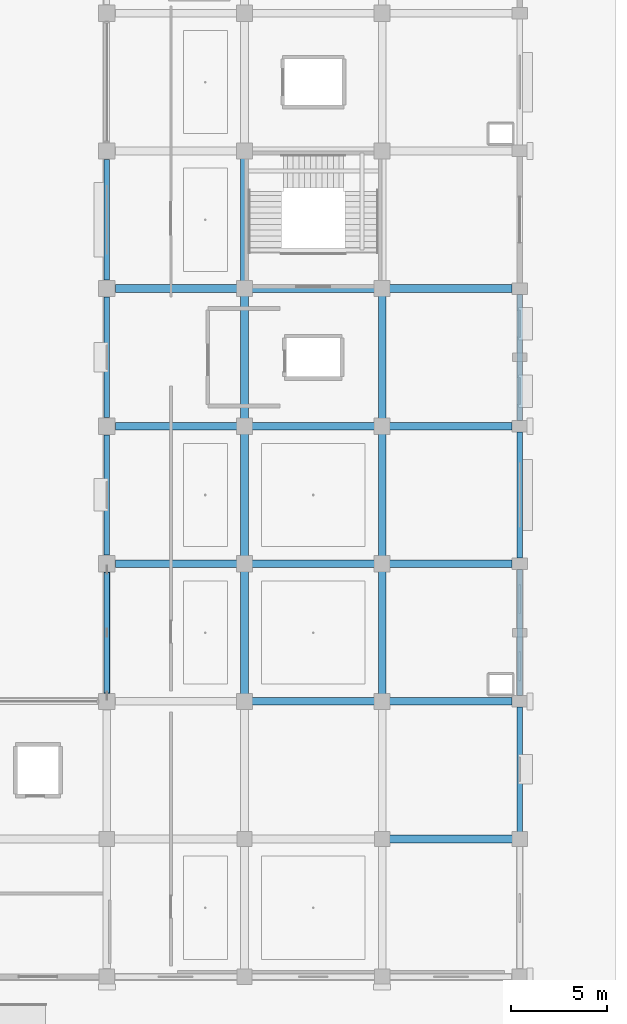
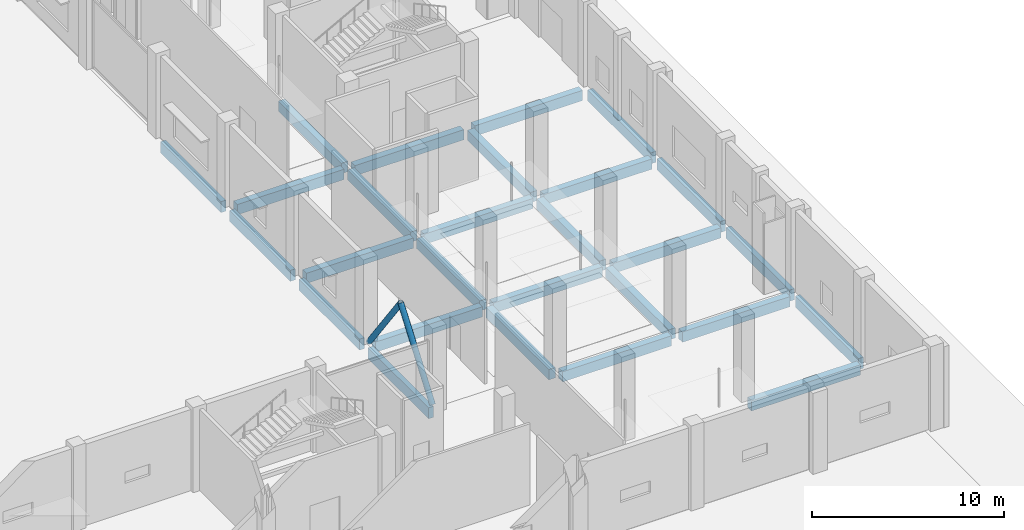
# One storey, part 40 of 90: 27 beams, 2 members.
"""IFC4 building model written with IfcOpenShell, lengths in metres."""

from ifc_helpers import new_model, si_unit, direction, frame, origin, origin_2d, place, context, subcontext, project, spatial, rectangle, hollow_circle, extrude, material, material_profile, profile_set, type_object, element, save


model = new_model("IFC4")

# Units and contexts
model_context = context("Model", 3, precision=1e-05, world=origin(), true_north=direction((0.0, 1.0)))
body_context = subcontext(model_context, "Body", "Model", "MODEL_VIEW")
ifc_project = project(units=[si_unit("LENGTHUNIT", "METRE"), si_unit("AREAUNIT", "SQUARE_METRE"), si_unit("VOLUMEUNIT", "CUBIC_METRE"), si_unit("PLANEANGLEUNIT", "RADIAN"), si_unit("MASSUNIT", "GRAM", prefix="KILO")], contexts=[model_context])

# Site, building, storey
site_placement = place(None, origin())
site = spatial("IfcSite", under=ifc_project, at=site_placement, CompositionType="ELEMENT")
building_placement = place(site_placement, origin())
building = spatial("IfcBuilding", under=site, at=building_placement, Name="Kangsadwip Square Police Headquarters", CompositionType="ELEMENT")
storey_placement = place(building_placement, origin())
storey = spatial("IfcBuildingStorey", under=building, at=storey_placement, Name="L00", CompositionType="ELEMENT", Elevation=0.0)

# Beams
ifc_material_1 = material(Name="Concrete M35 (35 MPa)", Category="concrete")
ifc_material_profile_1 = material_profile(ifc_material_1, rectangle(XDim=0.39990234375, YDim=0.64990234375, at=origin_2d()), Name="RC BM 650X400")
ifc_profile_set_1 = profile_set([ifc_material_profile_1], Name="Concrete M35 (35 MPa)")
beam_type_1 = type_object("IfcBeamType", Name="RcBeam650x400", PredefinedType="BEAM", material=ifc_profile_set_1)
beam_1_placement = place(storey_placement, frame((158.72509765625, 28.800048828125, -0.574951171875), z_axis=(1.0, 0.0, 0.0), x_axis=(0.0, 1.0, 0.0)))
element("IfcBeam", 1, at=beam_1_placement, inside=storey, type_object=beam_type_1, Name="Beam BM-L00-X-22-04", PredefinedType="BEAM", context=body_context, shape_type="SweptSolid", body=[
    extrude(rectangle(XDim=0.39990234375, YDim=0.64990234375, at=origin_2d()), origin(), (0.0, 0.0, 1.0), 6.5498046875),
])
beam_2_placement = place(storey_placement, frame((151.52490234375, 36.0, -0.574951171875), z_axis=(1.0, 0.0, 0.0), x_axis=(0.0, 1.0, 0.0)))
element("IfcBeam", 2, at=beam_2_placement, inside=storey, type_object=beam_type_1, Name="Beam BM-L00-X-21-05", PredefinedType="BEAM", context=body_context, shape_type="SweptSolid", body=[
    extrude(rectangle(XDim=0.39990234375, YDim=0.64990234375, at=origin_2d()), origin(), (0.0, 0.0, 1.0), 6.550048828125),
])
beam_3_placement = place(storey_placement, frame((158.72509765625, 36.0, -0.574951171875), z_axis=(1.0, 0.0, 0.0), x_axis=(0.0, 1.0, 0.0)))
element("IfcBeam", 3, at=beam_3_placement, inside=storey, type_object=beam_type_1, Name="Beam BM-L00-X-22-05", PredefinedType="BEAM", context=body_context, shape_type="SweptSolid", body=[
    extrude(rectangle(XDim=0.39990234375, YDim=0.64990234375, at=origin_2d()), origin(), (0.0, 0.0, 1.0), 6.474853515625),
])
beam_4_placement = place(storey_placement, frame((144.449951171875, 43.199951171875, -0.574951171875), z_axis=(1.0, 0.0, 0.0), x_axis=(0.0, 1.0, 0.0)))
element("IfcBeam", 4, at=beam_4_placement, inside=storey, type_object=beam_type_1, Name="Beam BM-L00-X-20-06", PredefinedType="BEAM", context=body_context, shape_type="SweptSolid", body=[
    extrude(rectangle(XDim=0.39990234375, YDim=0.64990234375, at=origin_2d()), origin(), (0.0, 0.0, 1.0), 6.425048828125),
])
beam_5_placement = place(storey_placement, frame((151.52490234375, 43.199951171875, -0.574951171875), z_axis=(1.0, 0.0, 0.0), x_axis=(0.0, 1.0, 0.0)))
element("IfcBeam", 5, at=beam_5_placement, inside=storey, type_object=beam_type_1, Name="Beam BM-L00-X-21-06", PredefinedType="BEAM", context=body_context, shape_type="SweptSolid", body=[
    extrude(rectangle(XDim=0.39990234375, YDim=0.64990234375, at=origin_2d()), origin(), (0.0, 0.0, 1.0), 6.550048828125),
])
beam_6_placement = place(storey_placement, frame((158.72509765625, 43.199951171875, -0.574951171875), z_axis=(1.0, 0.0, 0.0), x_axis=(0.0, 1.0, 0.0)))
element("IfcBeam", 6, at=beam_6_placement, inside=storey, type_object=beam_type_1, Name="Beam BM-L00-X-22-06", PredefinedType="BEAM", context=body_context, shape_type="SweptSolid", body=[
    extrude(rectangle(XDim=0.39990234375, YDim=0.64990234375, at=origin_2d()), origin(), (0.0, 0.0, 1.0), 6.474853515625),
])
beam_7_placement = place(storey_placement, frame((144.449951171875, 50.39990234375, -0.574951171875), z_axis=(1.0, 0.0, 0.0), x_axis=(0.0, 1.0, 0.0)))
element("IfcBeam", 7, at=beam_7_placement, inside=storey, type_object=beam_type_1, Name="Beam BM-L00-X-20-07", PredefinedType="BEAM", context=body_context, shape_type="SweptSolid", body=[
    extrude(rectangle(XDim=0.39990234375, YDim=0.64990234375, at=origin_2d()), origin(), (0.0, 0.0, 1.0), 6.425048828125),
])
beam_8_placement = place(storey_placement, frame((151.52490234375, 50.39990234375, -0.574951171875), z_axis=(1.0, 0.0, 0.0), x_axis=(0.0, 1.0, 0.0)))
element("IfcBeam", 8, at=beam_8_placement, inside=storey, type_object=beam_type_1, Name="Beam BM-L00-X-21-07", PredefinedType="BEAM", context=body_context, shape_type="SweptSolid", body=[
    extrude(rectangle(XDim=0.39990234375, YDim=0.64990234375, at=origin_2d()), origin(), (0.0, 0.0, 1.0), 6.550048828125),
])
beam_9_placement = place(storey_placement, frame((158.72509765625, 50.39990234375, -0.574951171875), z_axis=(1.0, 0.0, 0.0), x_axis=(0.0, 1.0, 0.0)))
element("IfcBeam", 9, at=beam_9_placement, inside=storey, type_object=beam_type_1, Name="Beam BM-L00-X-22-07", PredefinedType="BEAM", context=body_context, shape_type="SweptSolid", body=[
    extrude(rectangle(XDim=0.39990234375, YDim=0.64990234375, at=origin_2d()), origin(), (0.0, 0.0, 1.0), 6.474853515625),
])
beam_10_placement = place(storey_placement, frame((144.449951171875, 57.60009765625, -0.574951171875), z_axis=(1.0, 0.0, 0.0), x_axis=(0.0, 1.0, 0.0)))
element("IfcBeam", 10, at=beam_10_placement, inside=storey, type_object=beam_type_1, Name="Beam BM-L00-X-20-08", PredefinedType="BEAM", context=body_context, shape_type="SweptSolid", body=[
    extrude(rectangle(XDim=0.39990234375, YDim=0.64990234375, at=origin_2d()), origin(), (0.0, 0.0, 1.0), 6.425048828125),
])
beam_11_placement = place(storey_placement, frame((151.52490234375, 57.60009765625, -0.574951171875), z_axis=(1.0, 0.0, 0.0), x_axis=(0.0, 1.0, 0.0)))
element("IfcBeam", 11, at=beam_11_placement, inside=storey, type_object=beam_type_1, Name="Beam BM-L00-X-21-08", PredefinedType="BEAM", context=body_context, shape_type="SweptSolid", body=[
    extrude(rectangle(XDim=0.39990234375, YDim=0.64990234375, at=origin_2d()), origin(), (0.0, 0.0, 1.0), 6.550048828125),
])
beam_12_placement = place(storey_placement, frame((158.72509765625, 57.60009765625, -0.574951171875), z_axis=(1.0, 0.0, 0.0), x_axis=(0.0, 1.0, 0.0)))
element("IfcBeam", 12, at=beam_12_placement, inside=storey, type_object=beam_type_1, Name="Beam BM-L00-X-22-08", PredefinedType="BEAM", context=body_context, shape_type="SweptSolid", body=[
    extrude(rectangle(XDim=0.39990234375, YDim=0.64990234375, at=origin_2d()), origin(), (0.0, 0.0, 1.0), 6.474853515625),
])
for number, where, z_axis, x_axis, name in (
    (13, (151.199951171875, 36.324951171875, -0.574951171875), (0.0, 1.0, 0.0), (-1.0, 0.0, 0.0), "Beam BM-L00-Y-21-05"),
    (14, (151.199951171875, 43.52490234375, -0.574951171875), (0.0, 1.0, 0.0), (-1.0, 0.0, 0.0), "Beam BM-L00-Y-21-06"),
):
    element("IfcBeam", number, at=place(storey_placement, frame(where, z_axis=z_axis, x_axis=x_axis)), inside=storey, type_object=beam_type_1, Name=name, PredefinedType="BEAM", context=body_context, shape_type="SweptSolid", body=[
        extrude(rectangle(XDim=0.39990234375, YDim=0.64990234375, at=origin_2d()), origin(), (0.0, 0.0, 1.0), 6.550048828125),
    ])
beam_13_placement = place(storey_placement, frame((151.199951171875, 50.72509765625, -0.574951171875), z_axis=(0.0, 1.0, 0.0), x_axis=(-1.0, 0.0, 0.0)))
element("IfcBeam", 15, at=beam_13_placement, inside=storey, type_object=beam_type_1, Name="Beam BM-L00-Y-21-07", PredefinedType="BEAM", context=body_context, shape_type="SweptSolid", body=[
    extrude(rectangle(XDim=0.39990234375, YDim=0.64990234375, at=origin_2d()), origin(), (0.0, 0.0, 1.0), 6.5498046875),
])
for number, where, z_axis, x_axis, name in (
    (16, (151.199951171875, 57.925048828125, -0.574951171875), (0.0, 1.0, 0.0), (-1.0, 0.0, 0.0), "Beam BM-L00-Y-21-08"),
    (17, (158.39990234375, 36.324951171875, -0.574951171875), (0.0, 1.0, 0.0), (-1.0, 0.0, 0.0), "Beam BM-L00-Y-22-05"),
    (18, (158.39990234375, 43.52490234375, -0.574951171875), (0.0, 1.0, 0.0), (-1.0, 0.0, 0.0), "Beam BM-L00-Y-22-06"),
):
    element("IfcBeam", number, at=place(storey_placement, frame(where, z_axis=z_axis, x_axis=x_axis)), inside=storey, type_object=beam_type_1, Name=name, PredefinedType="BEAM", context=body_context, shape_type="SweptSolid", body=[
        extrude(rectangle(XDim=0.39990234375, YDim=0.64990234375, at=origin_2d()), origin(), (0.0, 0.0, 1.0), 6.550048828125),
    ])
beam_14_placement = place(storey_placement, frame((158.39990234375, 50.72509765625, -0.574951171875), z_axis=(0.0, 1.0, 0.0), x_axis=(-1.0, 0.0, 0.0)))
element("IfcBeam", 19, at=beam_14_placement, inside=storey, type_object=beam_type_1, Name="Beam BM-L00-Y-22-07", PredefinedType="BEAM", context=body_context, shape_type="SweptSolid", body=[
    extrude(rectangle(XDim=0.39990234375, YDim=0.64990234375, at=origin_2d()), origin(), (0.0, 0.0, 1.0), 6.5498046875),
])
ifc_material_2 = material(Name="Concrete M40 (40 MPa)", Category="concrete")
ifc_material_profile_2 = material_profile(ifc_material_2, rectangle(XDim=0.300048828125, YDim=0.699951171875, at=origin_2d()), Name="RC SPN 700X300")
ifc_profile_set_2 = profile_set([ifc_material_profile_2], Name="Concrete M40 (40 MPa)")
beam_type_2 = type_object("IfcBeamType", Name="RcSpandrel700x300", PredefinedType="SPANDREL", material=ifc_profile_set_2)
for number, where, z_axis, x_axis, name in (
    (20, (144.0, 36.449951171875, -0.60009765625), (0.0, 1.0, 0.0), (-1.0, 0.0, 0.0), "Beam BM-L00-Y-20-05"),
    (21, (144.0, 43.64990234375, -0.60009765625), (0.0, 1.0, 0.0), (-1.0, 0.0, 0.0), "Beam BM-L00-Y-20-06"),
):
    element("IfcBeam", number, at=place(storey_placement, frame(where, z_axis=z_axis, x_axis=x_axis)), inside=storey, type_object=beam_type_2, Name=name, PredefinedType="SPANDREL", context=body_context, shape_type="SweptSolid", body=[
        extrude(rectangle(XDim=0.300048828125, YDim=0.699951171875, at=origin_2d()), origin(), (0.0, 0.0, 1.0), 6.300048828125),
    ])
beam_15_placement = place(storey_placement, frame((144.0, 50.85009765625, -0.60009765625), z_axis=(0.0, 1.0, 0.0), x_axis=(-1.0, 0.0, 0.0)))
element("IfcBeam", 22, at=beam_15_placement, inside=storey, type_object=beam_type_2, Name="Beam BM-L00-Y-20-07", PredefinedType="SPANDREL", context=body_context, shape_type="SweptSolid", body=[
    extrude(rectangle(XDim=0.300048828125, YDim=0.699951171875, at=origin_2d()), origin(), (0.0, 0.0, 1.0), 6.2998046875),
])
beam_16_placement = place(storey_placement, frame((144.0, 58.050048828125, -0.60009765625), z_axis=(0.0, 1.0, 0.0), x_axis=(-1.0, 0.0, 0.0)))
element("IfcBeam", 23, at=beam_16_placement, inside=storey, type_object=beam_type_2, Name="Beam BM-L00-Y-20-08", PredefinedType="SPANDREL", context=body_context, shape_type="SweptSolid", body=[
    extrude(rectangle(XDim=0.300048828125, YDim=0.699951171875, at=origin_2d()), origin(), (0.0, 0.0, 1.0), 6.300048828125),
])
beam_17_placement = place(storey_placement, frame((165.60009765625, 29.125, -0.60009765625), z_axis=(0.0, 1.0, 0.0), x_axis=(-1.0, 0.0, 0.0)))
element("IfcBeam", 24, at=beam_17_placement, inside=storey, type_object=beam_type_2, Name="Beam BM-L00-Y-23-04", PredefinedType="SPANDREL", context=body_context, shape_type="SweptSolid", body=[
    extrude(rectangle(XDim=0.300048828125, YDim=0.699951171875, at=origin_2d()), origin(), (0.0, 0.0, 1.0), 6.574951171875),
])
beam_18_placement = place(storey_placement, frame((165.60009765625, 36.300048828125, -0.60009765625), z_axis=(0.0, 1.0, 0.0), x_axis=(-1.0, 0.0, 0.0)))
element("IfcBeam", 25, at=beam_18_placement, inside=storey, type_object=beam_type_2, Name="Beam BM-L00-Y-23-05", PredefinedType="SPANDREL", context=body_context, shape_type="SweptSolid", body=[
    extrude(rectangle(XDim=0.300048828125, YDim=0.699951171875, at=origin_2d()), origin(), (0.0, 0.0, 1.0), 6.599853515625),
])
for number, where, z_axis, x_axis, name in (
    (26, (165.60009765625, 43.5, -0.60009765625), (0.0, 1.0, 0.0), (-1.0, 0.0, 0.0), "Beam BM-L00-Y-23-06"),
    (27, (165.60009765625, 50.699951171875, -0.60009765625), (0.0, 1.0, 0.0), (-1.0, 0.0, 0.0), "Beam BM-L00-Y-23-07"),
):
    element("IfcBeam", number, at=place(storey_placement, frame(where, z_axis=z_axis, x_axis=x_axis)), inside=storey, type_object=beam_type_2, Name=name, PredefinedType="SPANDREL", context=body_context, shape_type="SweptSolid", body=[
        extrude(rectangle(XDim=0.300048828125, YDim=0.699951171875, at=origin_2d()), origin(), (0.0, 0.0, 1.0), 6.60009765625),
    ])

# Members
ifc_material_3 = material(Name="Structural steel IS 2062 E350 (Grade 350, 350 MPa)", Category="steel")
ifc_material_profile_3 = material_profile(ifc_material_3, hollow_circle(Radius=0.162109375, WallThickness=0.011962890625, at=origin_2d()), Name="CHS 324X12")
ifc_profile_set_3 = profile_set([ifc_material_profile_3], Name="Structural steel IS 2062 E350 (Grade 350, 350 MPa)")
member_type = type_object("IfcMemberType", Name="TrussBraceChs324", PredefinedType="BRACE", material=ifc_profile_set_3)
member_1_placement = place(storey_placement, frame((144.0, 36.300048828125, 0.0), z_axis=(0.0, 0.594805472058, 0.803869672528), x_axis=(-1.0, 0.0, 0.0)))
element("IfcMember", 28, at=member_1_placement, inside=storey, type_object=member_type, Name="Truss Member MEM-L00-0286", PredefinedType="BRACE", context=body_context, shape_type="SweptSolid", body=[
    extrude(hollow_circle(Radius=0.162109375, WallThickness=0.011962890625, at=origin_2d()), origin(), (0.0, 0.0, 1.0), 5.548095703125),
])
member_2_placement = place(storey_placement, frame((144.0, 42.89990234375, 0.0), z_axis=(0.0, -0.59477703511, 0.803890713036), x_axis=(1.0, 0.0, 0.0)))
element("IfcMember", 29, at=member_2_placement, inside=storey, type_object=member_type, Name="Truss Member MEM-L00-0287", PredefinedType="BRACE", context=body_context, shape_type="SweptSolid", body=[
    extrude(hollow_circle(Radius=0.162109375, WallThickness=0.011962890625, at=origin_2d()), origin(), (0.0, 0.0, 1.0), 5.5478515625),
])

save(model, "model.ifc")
